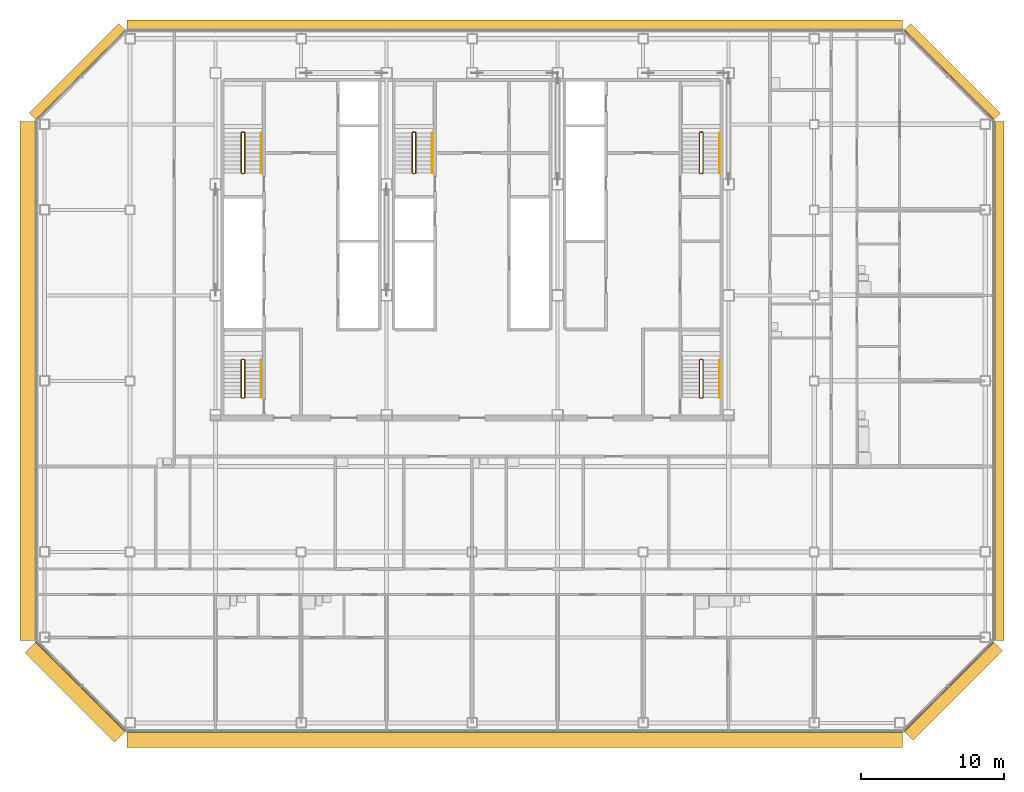
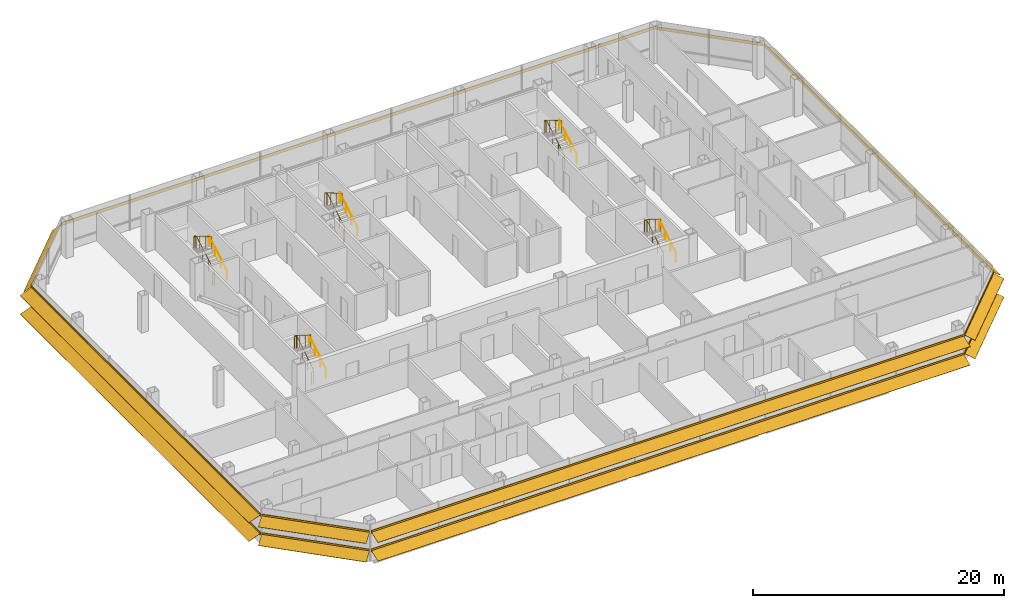
# One storey, part 25 of 26: 10 railings, 8 shading devices.
"""IFC4 building model written with IfcOpenShell, lengths in metres."""

from ifc_helpers import new_model, si_unit, direction, frame, origin, origin_2d, place, context, subcontext, project, spatial, polyline, circle, outline, composite_profile, extrude, material, type_object, element, save


model = new_model("IFC4")

# Units and contexts
model_context = context("Model", 3, precision=1e-05, world=origin(), true_north=direction((0.0, 1.0)))
body_context = subcontext(model_context, "Body", "Model", "MODEL_VIEW")
ifc_project = project(units=[si_unit("LENGTHUNIT", "METRE"), si_unit("AREAUNIT", "SQUARE_METRE"), si_unit("VOLUMEUNIT", "CUBIC_METRE"), si_unit("PLANEANGLEUNIT", "RADIAN"), si_unit("MASSUNIT", "GRAM", prefix="KILO")], contexts=[model_context])

# Site, building, storey
site_placement = place(None, origin())
site = spatial("IfcSite", under=ifc_project, at=site_placement, CompositionType="ELEMENT")
building_placement = place(site_placement, origin())
building = spatial("IfcBuilding", under=site, at=building_placement, Name="Sorahane Residences", CompositionType="ELEMENT")
storey_placement = place(building_placement, frame((0.0, 0.0, 154.60009765625)))
storey = spatial("IfcBuildingStorey", under=building, at=storey_placement, Name="L35", CompositionType="ELEMENT", Elevation=154.60009765625)

# Shading devices
ifc_material_1 = material(Name="Terracotta anodised aluminium", Category="masonry")
shading_device_type_1 = type_object("IfcShadingDeviceType", Name="Louvre sunshade blade E terracotta aluminium 700", PredefinedType="JALOUSIE", material=ifc_material_1)
shading_device_1_placement = place(storey_placement, frame((60.60009765625, 5.801513671875, 2.699951171875), z_axis=(0.0, 1.0, 0.0), x_axis=(-1.0, 0.0, 0.0)))
element("IfcShadingDevice", 1, at=shading_device_1_placement, inside=storey, type_object=shading_device_type_1, Name="Louvre sunshade blade bank E L35 E1", PredefinedType="JALOUSIE", context=body_context, shape_type="SweptSolid", body=[
    extrude(outline(polyline([(-0.719970703125, -0.49365234375), (-0.719970703125, -0.523681640625), (-0.080078125, -0.05859375), (-0.080078125, -0.14990234375), (-0.02001953125, -0.14990234375), (-0.02001953125, -0.014892578125), (-0.02001953125, 0.014892578125), (-0.02001953125, 0.14990234375), (-0.080078125, 0.14990234375), (-0.080078125, -0.028564453125), (-0.719970703125, -0.49365234375)])), origin(), (0.0, 0.0, 1.0), 36.39697265625),
])
ifc_material_2 = material(Name="Terracotta anodised aluminium", Category="masonry")
shading_device_type_2 = type_object("IfcShadingDeviceType", Name="Louvre sunshade blade N terracotta aluminium 700", PredefinedType="JALOUSIE", material=ifc_material_2)
shading_device_2_placement = place(storey_placement, frame((54.198486328125, 48.60009765625, 2.699951171875), z_axis=(-1.0, 0.0, 0.0), x_axis=(0.0, -1.0, 0.0)))
element("IfcShadingDevice", 2, at=shading_device_2_placement, inside=storey, type_object=shading_device_type_2, Name="Louvre sunshade blade bank N L35 N1", PredefinedType="JALOUSIE", context=body_context, shape_type="SweptSolid", body=[
    extrude(outline(polyline([(-0.719970703125, -0.660888671875), (-0.719970703125, -0.69091796875), (-0.080078125, -0.072998046875), (-0.080078125, -0.14990234375), (-0.02001953125, -0.14990234375), (-0.02001953125, -0.014892578125), (-0.02001953125, 0.014892578125), (-0.02001953125, 0.14990234375), (-0.080078125, 0.14990234375), (-0.080078125, -0.04296875), (-0.719970703125, -0.660888671875)])), origin(), (0.0, 0.0, 1.0), 54.39697265625),
])
ifc_material_3 = material(Name="Terracotta anodised aluminium", Category="masonry")
shading_device_type_3 = type_object("IfcShadingDeviceType", Name="Louvre sunshade blade NE terracotta aluminium 700", PredefinedType="JALOUSIE", material=ifc_material_3)
shading_device_3_placement = place(storey_placement, frame((60.564697265625, 42.283935546875, 2.699951171875), z_axis=(-0.707106781187, 0.707106781187, 0.0), x_axis=(-0.707106781187, -0.707106781187, 0.0)))
element("IfcShadingDevice", 3, at=shading_device_3_placement, inside=storey, type_object=shading_device_type_3, Name="Louvre sunshade blade bank NE L35 NE1", PredefinedType="JALOUSIE", context=body_context, shape_type="SweptSolid", body=[
    extrude(outline(polyline([(-0.719970703125, -0.572509765625), (-0.719970703125, -0.602294921875), (-0.080078125, -0.065185546875), (-0.080078125, -0.14990234375), (-0.02001953125, -0.14990234375), (-0.02001953125, -0.014892578125), (-0.02001953125, 0.014892578125), (-0.02001953125, 0.14990234375), (-0.080078125, 0.14990234375), (-0.080078125, -0.035400390625), (-0.719970703125, -0.572509765625)])), origin(), (0.0, 0.0, 1.0), 8.88232421875),
])
ifc_material_4 = material(Name="Terracotta anodised aluminium", Category="masonry")
shading_device_type_4 = type_object("IfcShadingDeviceType", Name="Louvre sunshade blade NW terracotta aluminium 700", PredefinedType="JALOUSIE", material=ifc_material_4)
shading_device_4_placement = place(storey_placement, frame((-0.283935546875, 48.564697265625, 2.699951171875), z_axis=(-0.707106781187, -0.707106781187, 0.0), x_axis=(0.707106781187, -0.707106781187, 0.0)))
element("IfcShadingDevice", 4, at=shading_device_4_placement, inside=storey, type_object=shading_device_type_4, Name="Louvre sunshade blade bank NW L35 NW1", PredefinedType="JALOUSIE", context=body_context, shape_type="SweptSolid", body=[
    extrude(outline(polyline([(-0.719970703125, -0.660888671875), (-0.719970703125, -0.69091796875), (-0.080078125, -0.072998046875), (-0.080078125, -0.14990234375), (-0.02001953125, -0.14990234375), (-0.02001953125, -0.014892578125), (-0.02001953125, 0.014892578125), (-0.02001953125, 0.14990234375), (-0.080078125, 0.14990234375), (-0.080078125, -0.04296875), (-0.719970703125, -0.660888671875)])), origin(), (0.0, 0.0, 1.0), 8.88232421875),
])
ifc_material_5 = material(Name="Terracotta anodised aluminium", Category="masonry")
shading_device_type_5 = type_object("IfcShadingDeviceType", Name="Louvre sunshade blade S terracotta aluminium 1100", PredefinedType="JALOUSIE", material=ifc_material_5)
shading_device_5_placement = place(storey_placement, frame((-0.198486328125, -0.60009765625, 0.89990234375), z_axis=(1.0, 0.0, 0.0), x_axis=(0.0, 1.0, 0.0)))
element("IfcShadingDevice", 5, at=shading_device_5_placement, inside=storey, type_object=shading_device_type_5, Name="Louvre sunshade blade bank S L35 S1", PredefinedType="JALOUSIE", context=body_context, shape_type="SweptSolid", body=[
    extrude(composite_profile([outline(polyline([(-1.1201171875, -0.385498046875), (-1.1201171875, -0.415283203125), (-0.080078125, -0.036865234375), (-0.080078125, -0.14990234375), (-0.02001953125, -0.14990234375), (-0.02001953125, -0.014892578125), (-0.02001953125, 0.014892578125), (-0.02001953125, 0.14990234375), (-0.080078125, 0.14990234375), (-0.080078125, -0.0068359375), (-1.1201171875, -0.385498046875)])), outline(polyline([(-1.1201171875, 1.41455078125), (-1.1201171875, 1.384521484375), (-0.080078125, 1.76318359375), (-0.080078125, 1.64990234375), (-0.02001953125, 1.64990234375), (-0.02001953125, 1.784912109375), (-0.02001953125, 1.81494140625), (-0.02001953125, 1.949951171875), (-0.080078125, 1.949951171875), (-0.080078125, 1.793212890625), (-1.1201171875, 1.41455078125)]))]), origin(), (0.0, 0.0, 1.0), 54.39697265625),
])
ifc_material_6 = material(Name="Terracotta anodised aluminium", Category="masonry")
shading_device_type_6 = type_object("IfcShadingDeviceType", Name="Louvre sunshade blade SE terracotta aluminium 900", PredefinedType="JALOUSIE", material=ifc_material_6)
shading_device_6_placement = place(storey_placement, frame((54.283935546875, -0.564697265625, 0.89990234375), z_axis=(0.707106781187, 0.707106781187, 0.0), x_axis=(-0.707106781187, 0.707106781187, 0.0)))
element("IfcShadingDevice", 6, at=shading_device_6_placement, inside=storey, type_object=shading_device_type_6, Name="Louvre sunshade blade bank SE L35 SE1", PredefinedType="JALOUSIE", context=body_context, shape_type="SweptSolid", body=[
    extrude(composite_profile([outline(polyline([(-0.919921875, -0.3486328125), (-0.919921875, -0.378662109375), (-0.080078125, -0.039306640625), (-0.080078125, -0.14990234375), (-0.02001953125, -0.14990234375), (-0.02001953125, -0.014892578125), (-0.02001953125, 0.014892578125), (-0.02001953125, 0.14990234375), (-0.080078125, 0.14990234375), (-0.080078125, -0.00927734375), (-0.919921875, -0.3486328125)])), outline(polyline([(-0.919921875, 1.451416015625), (-0.919921875, 1.42138671875), (-0.080078125, 1.7607421875), (-0.080078125, 1.64990234375), (-0.02001953125, 1.64990234375), (-0.02001953125, 1.784912109375), (-0.02001953125, 1.81494140625), (-0.02001953125, 1.949951171875), (-0.080078125, 1.949951171875), (-0.080078125, 1.790771484375), (-0.919921875, 1.451416015625)]))]), origin(), (0.0, 0.0, 1.0), 8.88232421875),
])
ifc_material_7 = material(Name="Terracotta anodised aluminium", Category="masonry")
shading_device_type_7 = type_object("IfcShadingDeviceType", Name="Louvre sunshade blade SW terracotta aluminium 1100", PredefinedType="JALOUSIE", material=ifc_material_7)
shading_device_7_placement = place(storey_placement, frame((-6.564697265625, 5.716064453125, 0.89990234375), z_axis=(0.707106781187, -0.707106781187, 0.0), x_axis=(0.707106781187, 0.707106781187, 0.0)))
element("IfcShadingDevice", 7, at=shading_device_7_placement, inside=storey, type_object=shading_device_type_7, Name="Louvre sunshade blade bank SW L35 SW1", PredefinedType="JALOUSIE", context=body_context, shape_type="SweptSolid", body=[
    extrude(composite_profile([outline(polyline([(-1.1201171875, -0.385498046875), (-1.1201171875, -0.415283203125), (-0.080078125, -0.036865234375), (-0.080078125, -0.14990234375), (-0.02001953125, -0.14990234375), (-0.02001953125, -0.014892578125), (-0.02001953125, 0.014892578125), (-0.02001953125, 0.14990234375), (-0.080078125, 0.14990234375), (-0.080078125, -0.0068359375), (-1.1201171875, -0.385498046875)])), outline(polyline([(-1.1201171875, 1.41455078125), (-1.1201171875, 1.384521484375), (-0.080078125, 1.76318359375), (-0.080078125, 1.64990234375), (-0.02001953125, 1.64990234375), (-0.02001953125, 1.784912109375), (-0.02001953125, 1.81494140625), (-0.02001953125, 1.949951171875), (-0.080078125, 1.949951171875), (-0.080078125, 1.793212890625), (-1.1201171875, 1.41455078125)]))]), origin(), (0.0, 0.0, 1.0), 8.88232421875),
])
ifc_material_8 = material(Name="Terracotta anodised aluminium", Category="masonry")
shading_device_type_8 = type_object("IfcShadingDeviceType", Name="Louvre sunshade blade W terracotta aluminium 1100", PredefinedType="JALOUSIE", material=ifc_material_8)
shading_device_8_placement = place(storey_placement, frame((-6.60009765625, 42.198486328125, 0.89990234375), z_axis=(0.0, -1.0, 0.0), x_axis=(1.0, 0.0, 0.0)))
element("IfcShadingDevice", 8, at=shading_device_8_placement, inside=storey, type_object=shading_device_type_8, Name="Louvre sunshade blade bank W L35 W1", PredefinedType="JALOUSIE", context=body_context, shape_type="SweptSolid", body=[
    extrude(composite_profile([outline(polyline([(-1.1201171875, -0.385498046875), (-1.1201171875, -0.415283203125), (-0.080078125, -0.036865234375), (-0.080078125, -0.14990234375), (-0.02001953125, -0.14990234375), (-0.02001953125, -0.014892578125), (-0.02001953125, 0.014892578125), (-0.02001953125, 0.14990234375), (-0.080078125, 0.14990234375), (-0.080078125, -0.0068359375), (-1.1201171875, -0.385498046875)])), outline(polyline([(-1.1201171875, 1.41455078125), (-1.1201171875, 1.384521484375), (-0.080078125, 1.76318359375), (-0.080078125, 1.64990234375), (-0.02001953125, 1.64990234375), (-0.02001953125, 1.784912109375), (-0.02001953125, 1.81494140625), (-0.02001953125, 1.949951171875), (-0.080078125, 1.949951171875), (-0.080078125, 1.793212890625), (-1.1201171875, 1.41455078125)]))]), origin(), (0.0, 0.0, 1.0), 36.39697265625),
])

# Railings
ifc_material_9 = material(Name="Steel Q355B", Category="steel")
railing_type_1 = type_object("IfcRailingType", Name="Stair guard 1200 Steel Q355B", PredefinedType="GUARDRAIL", material=ifc_material_9)
railing_1_placement = place(storey_placement, frame((7.85009765625, 38.550048828125, 0.0)))
element("IfcRailing", 9, at=railing_1_placement, inside=storey, type_object=railing_type_1, Name="L35 S1 stair guard 1", PredefinedType="GUARDRAIL", context=body_context, shape_type="SweptSolid", body=[
    extrude(circle(Radius=0.02392578125, at=origin_2d()), frame((0.0, 0.0, 1.17578125), z_axis=(1.0, 0.0, 0.0), x_axis=(0.0, 1.0, 0.0)), (0.0, 0.0, 1.0), 0.14990234375),
    extrude(circle(Radius=0.02392578125, at=origin_2d()), frame((0.14990234375, 0.0, 1.17578125), z_axis=(0.280808744504, 0.280808744504, 0.917765164963), x_axis=(-0.707106781187, 0.707106781187, 0.0)), (0.0, 0.0, 1.0), 0.17822265625),
    extrude(circle(Radius=0.02392578125, at=origin_2d()), frame((0.199951171875, 0.050048828125, 1.33935546875), z_axis=(0.0, 0.863374499697, 0.504563646405), x_axis=(-1.0, 0.0, 0.0)), (0.0, 0.0, 1.0), 3.242919921875),
    extrude(circle(Radius=0.02392578125, at=origin_2d()), frame((0.199951171875, 2.849853515625, 2.9755859375), z_axis=(-0.707106781187, 0.707106781187, 0.0), x_axis=(-0.707106781187, -0.707106781187, 0.0)), (0.0, 0.0, 1.0), 0.07080078125),
    extrude(circle(Radius=0.02392578125, at=origin_2d()), frame((0.14990234375, 2.89990234375, 2.9755859375), z_axis=(-1.0, 0.0, 0.0), x_axis=(0.0, -1.0, 0.0)), (0.0, 0.0, 1.0), 0.14990234375),
    extrude(circle(Radius=0.02392578125, at=origin_2d()), frame((0.0, 2.89990234375, 2.9755859375), z_axis=(-0.280456126637, -0.280456126637, 0.917980785237), x_axis=(0.707106781187, -0.707106781187, 0.0)), (0.0, 0.0, 1.0), 0.178466796875),
    extrude(circle(Radius=0.02392578125, at=origin_2d()), frame((-0.050048828125, 2.849853515625, 3.1396484375), z_axis=(0.0, -0.863374499697, 0.504563646405), x_axis=(1.0, 0.0, 0.0)), (0.0, 0.0, 1.0), 3.242919921875),
    extrude(circle(Radius=0.02099609375, at=origin_2d()), origin(), (0.0, 0.0, 1.0), 1.15185546875),
    extrude(circle(Radius=0.02099609375, at=origin_2d()), frame((0.14990234375, 0.0, 0.0)), (0.0, 0.0, 1.0), 1.15185546875),
    extrude(circle(Radius=0.02099609375, at=origin_2d()), frame((0.199951171875, 0.050048828125, 0.16357421875)), (0.0, 0.0, 1.0), 1.15185546875),
    extrude(circle(Radius=0.02099609375, at=origin_2d()), frame((0.199951171875, 0.9833984375, 0.708984375)), (0.0, 0.0, 1.0), 1.15185546875),
    extrude(circle(Radius=0.02099609375, at=origin_2d()), frame((0.199951171875, 1.91650390625, 1.25439453125)), (0.0, 0.0, 1.0), 1.15185546875),
    extrude(circle(Radius=0.02099609375, at=origin_2d()), frame((0.199951171875, 2.849853515625, 1.7998046875)), (0.0, 0.0, 1.0), 1.15185546875),
    extrude(circle(Radius=0.02099609375, at=origin_2d()), frame((0.14990234375, 2.89990234375, 1.7998046875)), (0.0, 0.0, 1.0), 1.15185546875),
    extrude(circle(Radius=0.02099609375, at=origin_2d()), frame((0.0, 2.89990234375, 1.7998046875)), (0.0, 0.0, 1.0), 1.15185546875),
    extrude(circle(Radius=0.02099609375, at=origin_2d()), frame((-0.050048828125, 2.849853515625, 1.963623046875)), (0.0, 0.0, 1.0), 1.15185546875),
    extrude(circle(Radius=0.02099609375, at=origin_2d()), frame((-0.050048828125, 1.91650390625, 2.509033203125)), (0.0, 0.0, 1.0), 1.15185546875),
    extrude(circle(Radius=0.02099609375, at=origin_2d()), frame((-0.050048828125, 0.9833984375, 3.054443359375)), (0.0, 0.0, 1.0), 1.15185546875),
    extrude(circle(Radius=0.02099609375, at=origin_2d()), frame((-0.050048828125, 0.050048828125, 3.599853515625)), (0.0, 0.0, 1.0), 1.15185546875),
])
railing_2_placement = place(storey_placement, frame((40.0, 38.550048828125, 0.0)))
element("IfcRailing", 10, at=railing_2_placement, inside=storey, type_object=railing_type_1, Name="L35 S2 stair guard 1", PredefinedType="GUARDRAIL", context=body_context, shape_type="SweptSolid", body=[
    extrude(circle(Radius=0.02392578125, at=origin_2d()), frame((0.0, 0.0, 1.17578125), z_axis=(1.0, 0.0, 0.0), x_axis=(0.0, 1.0, 0.0)), (0.0, 0.0, 1.0), 0.14990234375),
    extrude(circle(Radius=0.02392578125, at=origin_2d()), frame((0.14990234375, 0.0, 1.17578125), z_axis=(0.280808744504, 0.280808744504, 0.917765164963), x_axis=(-0.707106781187, 0.707106781187, 0.0)), (0.0, 0.0, 1.0), 0.17822265625),
    extrude(circle(Radius=0.02392578125, at=origin_2d()), frame((0.199951171875, 0.050048828125, 1.33935546875), z_axis=(0.0, 0.863374499697, 0.504563646405), x_axis=(-1.0, 0.0, 0.0)), (0.0, 0.0, 1.0), 3.242919921875),
    extrude(circle(Radius=0.02392578125, at=origin_2d()), frame((0.199951171875, 2.849853515625, 2.9755859375), z_axis=(-0.707106781187, 0.707106781187, 0.0), x_axis=(-0.707106781187, -0.707106781187, 0.0)), (0.0, 0.0, 1.0), 0.07080078125),
    extrude(circle(Radius=0.02392578125, at=origin_2d()), frame((0.14990234375, 2.89990234375, 2.9755859375), z_axis=(-1.0, 0.0, 0.0), x_axis=(0.0, -1.0, 0.0)), (0.0, 0.0, 1.0), 0.14990234375),
    extrude(circle(Radius=0.02392578125, at=origin_2d()), frame((0.0, 2.89990234375, 2.9755859375), z_axis=(-0.280456126637, -0.280456126637, 0.917980785237), x_axis=(0.707106781187, -0.707106781187, 0.0)), (0.0, 0.0, 1.0), 0.178466796875),
    extrude(circle(Radius=0.02392578125, at=origin_2d()), frame((-0.050048828125, 2.849853515625, 3.1396484375), z_axis=(0.0, -0.863374499697, 0.504563646405), x_axis=(1.0, 0.0, 0.0)), (0.0, 0.0, 1.0), 3.242919921875),
    extrude(circle(Radius=0.02099609375, at=origin_2d()), origin(), (0.0, 0.0, 1.0), 1.15185546875),
    extrude(circle(Radius=0.02099609375, at=origin_2d()), frame((0.14990234375, 0.0, 0.0)), (0.0, 0.0, 1.0), 1.15185546875),
    extrude(circle(Radius=0.02099609375, at=origin_2d()), frame((0.199951171875, 0.050048828125, 0.16357421875)), (0.0, 0.0, 1.0), 1.15185546875),
    extrude(circle(Radius=0.02099609375, at=origin_2d()), frame((0.199951171875, 0.9833984375, 0.708984375)), (0.0, 0.0, 1.0), 1.15185546875),
    extrude(circle(Radius=0.02099609375, at=origin_2d()), frame((0.199951171875, 1.91650390625, 1.25439453125)), (0.0, 0.0, 1.0), 1.15185546875),
    extrude(circle(Radius=0.02099609375, at=origin_2d()), frame((0.199951171875, 2.849853515625, 1.7998046875)), (0.0, 0.0, 1.0), 1.15185546875),
    extrude(circle(Radius=0.02099609375, at=origin_2d()), frame((0.14990234375, 2.89990234375, 1.7998046875)), (0.0, 0.0, 1.0), 1.15185546875),
    extrude(circle(Radius=0.02099609375, at=origin_2d()), frame((0.0, 2.89990234375, 1.7998046875)), (0.0, 0.0, 1.0), 1.15185546875),
    extrude(circle(Radius=0.02099609375, at=origin_2d()), frame((-0.050048828125, 2.849853515625, 1.963623046875)), (0.0, 0.0, 1.0), 1.15185546875),
    extrude(circle(Radius=0.02099609375, at=origin_2d()), frame((-0.050048828125, 1.91650390625, 2.509033203125)), (0.0, 0.0, 1.0), 1.15185546875),
    extrude(circle(Radius=0.02099609375, at=origin_2d()), frame((-0.050048828125, 0.9833984375, 3.054443359375)), (0.0, 0.0, 1.0), 1.15185546875),
    extrude(circle(Radius=0.02099609375, at=origin_2d()), frame((-0.050048828125, 0.050048828125, 3.599853515625)), (0.0, 0.0, 1.0), 1.15185546875),
])
railing_3_placement = place(storey_placement, frame((19.85009765625, 38.550048828125, 0.0)))
element("IfcRailing", 11, at=railing_3_placement, inside=storey, type_object=railing_type_1, Name="L35 S3 stair guard 1", PredefinedType="GUARDRAIL", context=body_context, shape_type="SweptSolid", body=[
    extrude(circle(Radius=0.02392578125, at=origin_2d()), frame((0.0, 0.0, 1.17578125), z_axis=(1.0, 0.0, 0.0), x_axis=(0.0, 1.0, 0.0)), (0.0, 0.0, 1.0), 0.14990234375),
    extrude(circle(Radius=0.02392578125, at=origin_2d()), frame((0.14990234375, 0.0, 1.17578125), z_axis=(0.280808744504, 0.280808744504, 0.917765164963), x_axis=(-0.707106781187, 0.707106781187, 0.0)), (0.0, 0.0, 1.0), 0.17822265625),
    extrude(circle(Radius=0.02392578125, at=origin_2d()), frame((0.199951171875, 0.050048828125, 1.33935546875), z_axis=(0.0, 0.863374499697, 0.504563646405), x_axis=(-1.0, 0.0, 0.0)), (0.0, 0.0, 1.0), 3.242919921875),
    extrude(circle(Radius=0.02392578125, at=origin_2d()), frame((0.199951171875, 2.849853515625, 2.9755859375), z_axis=(-0.707106781187, 0.707106781187, 0.0), x_axis=(-0.707106781187, -0.707106781187, 0.0)), (0.0, 0.0, 1.0), 0.07080078125),
    extrude(circle(Radius=0.02392578125, at=origin_2d()), frame((0.14990234375, 2.89990234375, 2.9755859375), z_axis=(-1.0, 0.0, 0.0), x_axis=(0.0, -1.0, 0.0)), (0.0, 0.0, 1.0), 0.14990234375),
    extrude(circle(Radius=0.02392578125, at=origin_2d()), frame((0.0, 2.89990234375, 2.9755859375), z_axis=(-0.280456126637, -0.280456126637, 0.917980785237), x_axis=(0.707106781187, -0.707106781187, 0.0)), (0.0, 0.0, 1.0), 0.178466796875),
    extrude(circle(Radius=0.02392578125, at=origin_2d()), frame((-0.050048828125, 2.849853515625, 3.1396484375), z_axis=(0.0, -0.863374499697, 0.504563646405), x_axis=(1.0, 0.0, 0.0)), (0.0, 0.0, 1.0), 3.242919921875),
    extrude(circle(Radius=0.02099609375, at=origin_2d()), origin(), (0.0, 0.0, 1.0), 1.15185546875),
    extrude(circle(Radius=0.02099609375, at=origin_2d()), frame((0.14990234375, 0.0, 0.0)), (0.0, 0.0, 1.0), 1.15185546875),
    extrude(circle(Radius=0.02099609375, at=origin_2d()), frame((0.199951171875, 0.050048828125, 0.16357421875)), (0.0, 0.0, 1.0), 1.15185546875),
    extrude(circle(Radius=0.02099609375, at=origin_2d()), frame((0.199951171875, 0.9833984375, 0.708984375)), (0.0, 0.0, 1.0), 1.15185546875),
    extrude(circle(Radius=0.02099609375, at=origin_2d()), frame((0.199951171875, 1.91650390625, 1.25439453125)), (0.0, 0.0, 1.0), 1.15185546875),
    extrude(circle(Radius=0.02099609375, at=origin_2d()), frame((0.199951171875, 2.849853515625, 1.7998046875)), (0.0, 0.0, 1.0), 1.15185546875),
    extrude(circle(Radius=0.02099609375, at=origin_2d()), frame((0.14990234375, 2.89990234375, 1.7998046875)), (0.0, 0.0, 1.0), 1.15185546875),
    extrude(circle(Radius=0.02099609375, at=origin_2d()), frame((0.0, 2.89990234375, 1.7998046875)), (0.0, 0.0, 1.0), 1.15185546875),
    extrude(circle(Radius=0.02099609375, at=origin_2d()), frame((-0.050048828125, 2.849853515625, 1.963623046875)), (0.0, 0.0, 1.0), 1.15185546875),
    extrude(circle(Radius=0.02099609375, at=origin_2d()), frame((-0.050048828125, 1.91650390625, 2.509033203125)), (0.0, 0.0, 1.0), 1.15185546875),
    extrude(circle(Radius=0.02099609375, at=origin_2d()), frame((-0.050048828125, 0.9833984375, 3.054443359375)), (0.0, 0.0, 1.0), 1.15185546875),
    extrude(circle(Radius=0.02099609375, at=origin_2d()), frame((-0.050048828125, 0.050048828125, 3.599853515625)), (0.0, 0.0, 1.0), 1.15185546875),
])
railing_4_placement = place(storey_placement, frame((7.85009765625, 22.800048828125, 0.0)))
element("IfcRailing", 12, at=railing_4_placement, inside=storey, type_object=railing_type_1, Name="L35 S4 stair guard 1", PredefinedType="GUARDRAIL", context=body_context, shape_type="SweptSolid", body=[
    extrude(circle(Radius=0.02392578125, at=origin_2d()), frame((0.0, 0.0, 1.17578125), z_axis=(1.0, 0.0, 0.0), x_axis=(0.0, 1.0, 0.0)), (0.0, 0.0, 1.0), 0.14990234375),
    extrude(circle(Radius=0.02392578125, at=origin_2d()), frame((0.14990234375, 0.0, 1.17578125), z_axis=(0.280808744504, 0.280808744504, 0.917765164963), x_axis=(-0.707106781187, 0.707106781187, 0.0)), (0.0, 0.0, 1.0), 0.17822265625),
    extrude(circle(Radius=0.02392578125, at=origin_2d()), frame((0.199951171875, 0.050048828125, 1.33935546875), z_axis=(0.0, 0.846337672412, 0.532646734952), x_axis=(-1.0, 0.0, 0.0)), (0.0, 0.0, 1.0), 3.07177734375),
    extrude(circle(Radius=0.02392578125, at=origin_2d()), frame((0.199951171875, 2.64990234375, 2.9755859375), z_axis=(-0.707106781187, 0.707106781187, 0.0), x_axis=(-0.707106781187, -0.707106781187, 0.0)), (0.0, 0.0, 1.0), 0.07080078125),
    extrude(circle(Radius=0.02392578125, at=origin_2d()), frame((0.14990234375, 2.699951171875, 2.9755859375), z_axis=(-1.0, 0.0, 0.0), x_axis=(0.0, -1.0, 0.0)), (0.0, 0.0, 1.0), 0.14990234375),
    extrude(circle(Radius=0.02392578125, at=origin_2d()), frame((0.0, 2.699951171875, 2.9755859375), z_axis=(-0.280456126637, -0.280456126637, 0.917980785237), x_axis=(0.707106781187, -0.707106781187, 0.0)), (0.0, 0.0, 1.0), 0.178466796875),
    extrude(circle(Radius=0.02392578125, at=origin_2d()), frame((-0.050048828125, 2.64990234375, 3.1396484375), z_axis=(0.0, -0.846337672412, 0.532646734952), x_axis=(1.0, 0.0, 0.0)), (0.0, 0.0, 1.0), 3.07177734375),
    extrude(circle(Radius=0.02099609375, at=origin_2d()), origin(), (0.0, 0.0, 1.0), 1.15185546875),
    extrude(circle(Radius=0.02099609375, at=origin_2d()), frame((0.14990234375, 0.0, 0.0)), (0.0, 0.0, 1.0), 1.15185546875),
    extrude(circle(Radius=0.02099609375, at=origin_2d()), frame((0.199951171875, 0.050048828125, 0.16357421875)), (0.0, 0.0, 1.0), 1.15185546875),
    extrude(circle(Radius=0.02099609375, at=origin_2d()), frame((0.199951171875, 0.916748046875, 0.708984375)), (0.0, 0.0, 1.0), 1.15185546875),
    extrude(circle(Radius=0.02099609375, at=origin_2d()), frame((0.199951171875, 1.783203125, 1.25439453125)), (0.0, 0.0, 1.0), 1.15185546875),
    extrude(circle(Radius=0.02099609375, at=origin_2d()), frame((0.199951171875, 2.64990234375, 1.7998046875)), (0.0, 0.0, 1.0), 1.15185546875),
    extrude(circle(Radius=0.02099609375, at=origin_2d()), frame((0.14990234375, 2.699951171875, 1.7998046875)), (0.0, 0.0, 1.0), 1.15185546875),
    extrude(circle(Radius=0.02099609375, at=origin_2d()), frame((0.0, 2.699951171875, 1.7998046875)), (0.0, 0.0, 1.0), 1.15185546875),
    extrude(circle(Radius=0.02099609375, at=origin_2d()), frame((-0.050048828125, 2.64990234375, 1.963623046875)), (0.0, 0.0, 1.0), 1.15185546875),
    extrude(circle(Radius=0.02099609375, at=origin_2d()), frame((-0.050048828125, 1.783203125, 2.509033203125)), (0.0, 0.0, 1.0), 1.15185546875),
    extrude(circle(Radius=0.02099609375, at=origin_2d()), frame((-0.050048828125, 0.916748046875, 3.054443359375)), (0.0, 0.0, 1.0), 1.15185546875),
    extrude(circle(Radius=0.02099609375, at=origin_2d()), frame((-0.050048828125, 0.050048828125, 3.599853515625)), (0.0, 0.0, 1.0), 1.15185546875),
])
railing_5_placement = place(storey_placement, frame((40.0, 22.800048828125, 0.0)))
element("IfcRailing", 13, at=railing_5_placement, inside=storey, type_object=railing_type_1, Name="L35 S5 stair guard 1", PredefinedType="GUARDRAIL", context=body_context, shape_type="SweptSolid", body=[
    extrude(circle(Radius=0.02392578125, at=origin_2d()), frame((0.0, 0.0, 1.17578125), z_axis=(1.0, 0.0, 0.0), x_axis=(0.0, 1.0, 0.0)), (0.0, 0.0, 1.0), 0.14990234375),
    extrude(circle(Radius=0.02392578125, at=origin_2d()), frame((0.14990234375, 0.0, 1.17578125), z_axis=(0.280808744504, 0.280808744504, 0.917765164963), x_axis=(-0.707106781187, 0.707106781187, 0.0)), (0.0, 0.0, 1.0), 0.17822265625),
    extrude(circle(Radius=0.02392578125, at=origin_2d()), frame((0.199951171875, 0.050048828125, 1.33935546875), z_axis=(0.0, 0.846337672412, 0.532646734952), x_axis=(-1.0, 0.0, 0.0)), (0.0, 0.0, 1.0), 3.07177734375),
    extrude(circle(Radius=0.02392578125, at=origin_2d()), frame((0.199951171875, 2.64990234375, 2.9755859375), z_axis=(-0.707106781187, 0.707106781187, 0.0), x_axis=(-0.707106781187, -0.707106781187, 0.0)), (0.0, 0.0, 1.0), 0.07080078125),
    extrude(circle(Radius=0.02392578125, at=origin_2d()), frame((0.14990234375, 2.699951171875, 2.9755859375), z_axis=(-1.0, 0.0, 0.0), x_axis=(0.0, -1.0, 0.0)), (0.0, 0.0, 1.0), 0.14990234375),
    extrude(circle(Radius=0.02392578125, at=origin_2d()), frame((0.0, 2.699951171875, 2.9755859375), z_axis=(-0.280456126637, -0.280456126637, 0.917980785237), x_axis=(0.707106781187, -0.707106781187, 0.0)), (0.0, 0.0, 1.0), 0.178466796875),
    extrude(circle(Radius=0.02392578125, at=origin_2d()), frame((-0.050048828125, 2.64990234375, 3.1396484375), z_axis=(0.0, -0.846337672412, 0.532646734952), x_axis=(1.0, 0.0, 0.0)), (0.0, 0.0, 1.0), 3.07177734375),
    extrude(circle(Radius=0.02099609375, at=origin_2d()), origin(), (0.0, 0.0, 1.0), 1.15185546875),
    extrude(circle(Radius=0.02099609375, at=origin_2d()), frame((0.14990234375, 0.0, 0.0)), (0.0, 0.0, 1.0), 1.15185546875),
    extrude(circle(Radius=0.02099609375, at=origin_2d()), frame((0.199951171875, 0.050048828125, 0.16357421875)), (0.0, 0.0, 1.0), 1.15185546875),
    extrude(circle(Radius=0.02099609375, at=origin_2d()), frame((0.199951171875, 0.916748046875, 0.708984375)), (0.0, 0.0, 1.0), 1.15185546875),
    extrude(circle(Radius=0.02099609375, at=origin_2d()), frame((0.199951171875, 1.783203125, 1.25439453125)), (0.0, 0.0, 1.0), 1.15185546875),
    extrude(circle(Radius=0.02099609375, at=origin_2d()), frame((0.199951171875, 2.64990234375, 1.7998046875)), (0.0, 0.0, 1.0), 1.15185546875),
    extrude(circle(Radius=0.02099609375, at=origin_2d()), frame((0.14990234375, 2.699951171875, 1.7998046875)), (0.0, 0.0, 1.0), 1.15185546875),
    extrude(circle(Radius=0.02099609375, at=origin_2d()), frame((0.0, 2.699951171875, 1.7998046875)), (0.0, 0.0, 1.0), 1.15185546875),
    extrude(circle(Radius=0.02099609375, at=origin_2d()), frame((-0.050048828125, 2.64990234375, 1.963623046875)), (0.0, 0.0, 1.0), 1.15185546875),
    extrude(circle(Radius=0.02099609375, at=origin_2d()), frame((-0.050048828125, 1.783203125, 2.509033203125)), (0.0, 0.0, 1.0), 1.15185546875),
    extrude(circle(Radius=0.02099609375, at=origin_2d()), frame((-0.050048828125, 0.916748046875, 3.054443359375)), (0.0, 0.0, 1.0), 1.15185546875),
    extrude(circle(Radius=0.02099609375, at=origin_2d()), frame((-0.050048828125, 0.050048828125, 3.599853515625)), (0.0, 0.0, 1.0), 1.15185546875),
])
ifc_material_10 = material(Name="Steel Q355B", Category="steel")
railing_type_2 = type_object("IfcRailingType", Name="Stair handrail 900 Steel Q355B", PredefinedType="HANDRAIL", material=ifc_material_10)
for number, where, name in (
    (14, (9.199951171875, 38.60009765625, 0.16357421875), "L35 S1 stair handrail 1"),
    (15, (41.35009765625, 38.60009765625, 0.16357421875), "L35 S2 stair handrail 1"),
    (16, (21.199951171875, 38.60009765625, 0.16357421875), "L35 S3 stair handrail 1"),
):
    element("IfcRailing", number, at=place(storey_placement, frame(where)), inside=storey, type_object=railing_type_2, Name=name, PredefinedType="HANDRAIL", context=body_context, shape_type="SweptSolid", body=[
        extrude(circle(Radius=0.02392578125, at=origin_2d()), frame((0.0, 0.0, 0.8759765625), z_axis=(0.0, 0.863374499697, 0.504563646405), x_axis=(-1.0, 0.0, 0.0)), (0.0, 0.0, 1.0), 3.242919921875),
        extrude(circle(Radius=0.02099609375, at=origin_2d()), origin(), (0.0, 0.0, 1.0), 0.851806640625),
        extrude(circle(Radius=0.02099609375, at=origin_2d()), frame((0.0, 0.933349609375, 0.54541015625)), (0.0, 0.0, 1.0), 0.851806640625),
        extrude(circle(Radius=0.02099609375, at=origin_2d()), frame((0.0, 1.866455078125, 1.0908203125)), (0.0, 0.0, 1.0), 0.851806640625),
        extrude(circle(Radius=0.02099609375, at=origin_2d()), frame((0.0, 2.7998046875, 1.63623046875)), (0.0, 0.0, 1.0), 0.851806640625),
    ])
for number, where, name in (
    (17, (9.199951171875, 22.85009765625, 0.16357421875), "L35 S4 stair handrail 1"),
    (18, (41.35009765625, 22.85009765625, 0.16357421875), "L35 S5 stair handrail 1"),
):
    element("IfcRailing", number, at=place(storey_placement, frame(where)), inside=storey, type_object=railing_type_2, Name=name, PredefinedType="HANDRAIL", context=body_context, shape_type="SweptSolid", body=[
        extrude(circle(Radius=0.02392578125, at=origin_2d()), frame((0.0, 0.0, 0.8759765625), z_axis=(0.0, 0.846337672412, 0.532646734952), x_axis=(-1.0, 0.0, 0.0)), (0.0, 0.0, 1.0), 3.07177734375),
        extrude(circle(Radius=0.02099609375, at=origin_2d()), origin(), (0.0, 0.0, 1.0), 0.851806640625),
        extrude(circle(Radius=0.02099609375, at=origin_2d()), frame((0.0, 0.86669921875, 0.54541015625)), (0.0, 0.0, 1.0), 0.851806640625),
        extrude(circle(Radius=0.02099609375, at=origin_2d()), frame((0.0, 1.733154296875, 1.0908203125)), (0.0, 0.0, 1.0), 0.851806640625),
        extrude(circle(Radius=0.02099609375, at=origin_2d()), frame((0.0, 2.599853515625, 1.63623046875)), (0.0, 0.0, 1.0), 0.851806640625),
    ])

save(model, "model.ifc")
